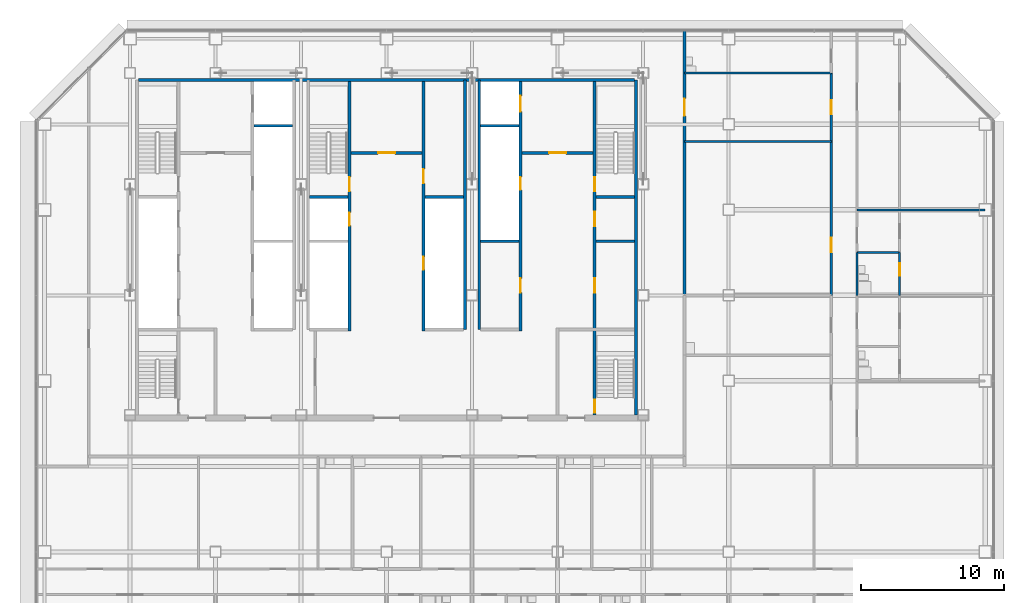
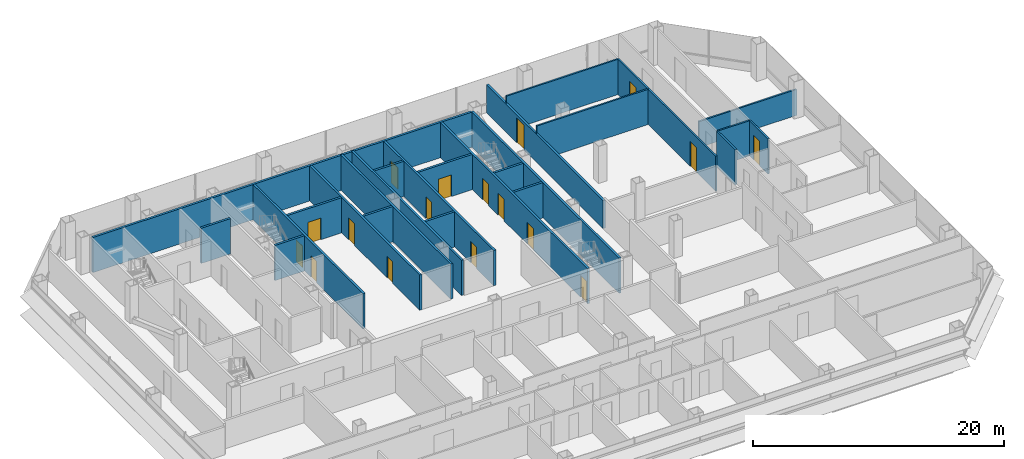
# One storey, part 23 of 26: 25 walls, 17 doors, 17 openings.
"""IFC4 building model written with IfcOpenShell, lengths in metres."""

from ifc_helpers import new_model, si_unit, direction, frame, frame_2d, origin, place, context, subcontext, project, spatial, rectangle, extrude, material, layer, layer_set, type_object, element, fill, save


model = new_model("IFC4")

# Units and contexts
model_context = context("Model", 3, precision=1e-05, world=origin(), true_north=direction((0.0, 1.0)))
body_context = subcontext(model_context, "Body", "Model", "MODEL_VIEW")
ifc_project = project(units=[si_unit("LENGTHUNIT", "METRE"), si_unit("AREAUNIT", "SQUARE_METRE"), si_unit("VOLUMEUNIT", "CUBIC_METRE"), si_unit("PLANEANGLEUNIT", "RADIAN"), si_unit("MASSUNIT", "GRAM", prefix="KILO")], contexts=[model_context])

# Site, building, storey
site_placement = place(None, origin())
site = spatial("IfcSite", under=ifc_project, at=site_placement, CompositionType="ELEMENT")
building_placement = place(site_placement, origin())
building = spatial("IfcBuilding", under=site, at=building_placement, Name="Sorahane Residences", CompositionType="ELEMENT")
storey_placement = place(building_placement, frame((0.0, 0.0, 67.800048828125)))
storey = spatial("IfcBuildingStorey", under=building, at=storey_placement, Name="L13", CompositionType="ELEMENT", Elevation=67.800048828125)

# Walls
ifc_material_1 = material(Name="Concrete C30", Category="concrete")
ifc_layer_1 = layer(ifc_material_1, 0.199951171875)
ifc_layer_set_1 = layer_set([ifc_layer_1], Name="Core face wall 200 EI 180")
wall_type_1 = type_object("IfcWallType", Name="Core face wall 200 EI 180", PredefinedType="SOLIDWALL", material=ifc_layer_set_1)
wall_1_placement = place(storey_placement, frame((41.5, 21.60009765625, 0.0), z_axis=(0.0, 0.0, 1.0), x_axis=(0.0, 1.0, 0.0)))
element("IfcWall", 1, at=wall_1_placement, inside=storey, type_object=wall_type_1, Name="L13 core face wall", PredefinedType="SOLIDWALL", context=body_context, shape_type="SweptSolid", body=[
    extrude(rectangle(XDim=23.5, YDim=0.199951171875, at=frame_2d((11.75, 0.0))), origin(), (0.0, 0.0, 1.0), 3.419921875),
])
wall_2_placement = place(storey_placement, frame((6.60009765625, 45.10009765625, 0.0), z_axis=(0.0, 0.0, 1.0), x_axis=(1.0, 0.0, 0.0)))
element("IfcWall", 2, at=wall_2_placement, inside=storey, type_object=wall_type_1, Name="L13 core face wall", PredefinedType="SOLIDWALL", context=body_context, shape_type="SweptSolid", body=[
    extrude(rectangle(XDim=34.7998046875, YDim=0.199951171875, at=frame_2d((17.39990234375, 0.0))), origin(), (0.0, 0.0, 1.0), 3.419921875),
])
for number, where, z_axis, x_axis, name in (
    (3, (29.5, 27.60009765625, 0.0), (0.0, 0.0, 1.0), (0.0, 1.0, 0.0), "L13 core face wall"),
    (4, (30.5, 27.60009765625, 0.0), (0.0, 0.0, 1.0), (0.0, 1.0, 0.0), "L13 core face wall"),
):
    element("IfcWall", number, at=place(storey_placement, frame(where, z_axis=z_axis, x_axis=x_axis)), inside=storey, type_object=wall_type_1, Name=name, PredefinedType="SOLIDWALL", context=body_context, shape_type="SweptSolid", body=[
        extrude(rectangle(XDim=17.5, YDim=0.199951171875, at=frame_2d((8.75, 0.0))), origin(), (0.0, 0.0, 1.0), 3.419921875),
    ])

# Wall, opening, door
ifc_material_2 = material(Name="Concrete blockwork C20 wall", Category="masonry")
ifc_layer_2 = layer(ifc_material_2, 0.199951171875)
ifc_layer_set_2 = layer_set([ifc_layer_2], Name="Corridor wall 200 EI 120")
wall_type_2 = type_object("IfcWallType", Name="Corridor wall 200 EI 120", PredefinedType="SOLIDWALL", material=ifc_layer_set_2)
wall_3_placement = place(storey_placement, frame((44.89990234375, 30.0, 0.0), z_axis=(0.0, 0.0, 1.0), x_axis=(0.0, 1.0, 0.0)))
wall_3 = element("IfcWall", 5, at=wall_3_placement, inside=storey, type_object=wall_type_2, Name="L13 corridor wall", PredefinedType="SOLIDWALL", context=body_context, shape_type="SweptSolid", body=[
    extrude(rectangle(XDim=18.60009765625, YDim=0.199951171875, at=frame_2d((9.300048828125, 0.0))), origin(), (0.0, 0.0, 1.0), 2.719970703125),
])
opening_1_placement = place(wall_3_placement, frame((12.60009765625, 0.0, 0.0)))
opening_1 = element("IfcOpeningElement", 6, at=opening_1_placement, cuts=wall_3, Name="Opening L13-44", PredefinedType="OPENING", context=body_context, shape_type="SweptSolid", body=[
    extrude(rectangle(XDim=1.199951171875, YDim=2.39990234375, at=frame_2d((0.60009765625, 1.199951171875))), frame((0.0, 0.10986328125, 0.0), z_axis=(0.0, -1.0, 0.0), x_axis=(1.0, 0.0, 0.0)), (0.0, 0.0, 1.0), 0.219970703125),
])
ifc_material_3 = material(Name="Timber veneered fire door", Category="wood")
door_type_1 = type_object("IfcDoorType", Name="Flat entrance door 1200x2400 FD60", OperationType="NOTDEFINED", PredefinedType="DOOR", material=ifc_material_3)
door_1_placement = place(opening_1_placement, frame((1.199951171875, 0.0, 0.0), z_axis=(0.0, 0.0, 1.0), x_axis=(-1.0, 0.0, 0.0)))
door_1 = element("IfcDoor", 7, at=door_1_placement, inside=storey, type_object=door_type_1, Name="Flat entrance door L13-44", OperationType="SINGLE_SWING_RIGHT", OverallHeight=2.39990234375, OverallWidth=1.199951171875, PredefinedType="DOOR", context=body_context, shape_type="SweptSolid", body=[
    extrude(rectangle(XDim=1.199951171875, YDim=2.39990234375, at=frame_2d((0.60009765625, 1.199951171875))), frame((0.0, 0.02490234375, 0.0), z_axis=(0.0, -1.0, 0.0), x_axis=(1.0, 0.0, 0.0)), (0.0, 0.0, 1.0), 0.050048828125),
])
fill(opening_1, door_1)

ifc_material_4 = material(Name="Concrete C30", Category="concrete")
ifc_layer_3 = layer(ifc_material_4, 0.199951171875)
ifc_layer_set_3 = layer_set([ifc_layer_3], Name="Front room wall 200 EI 120")
wall_type_3 = type_object("IfcWallType", Name="Front room wall 200 EI 120", PredefinedType="PARTITIONING", material=ifc_layer_set_3)
wall_4_placement = place(storey_placement, frame((21.5, 40.0, 0.0), z_axis=(0.0, 0.0, 1.0), x_axis=(1.0, 0.0, 0.0)))
wall_4 = element("IfcWall", 8, at=wall_4_placement, inside=storey, type_object=wall_type_3, Name="L13 front room wall", PredefinedType="PARTITIONING", context=body_context, shape_type="SweptSolid", body=[
    extrude(rectangle(XDim=5.0, YDim=0.199951171875, at=frame_2d((2.5, 0.0))), origin(), (0.0, 0.0, 1.0), 3.419921875),
])
opening_2_placement = place(wall_4_placement, frame((1.89990234375, 0.0, 0.0)))
opening_2 = element("IfcOpeningElement", 9, at=opening_2_placement, cuts=wall_4, Name="Opening L13-C08", PredefinedType="OPENING", context=body_context, shape_type="SweptSolid", body=[
    extrude(rectangle(XDim=1.199951171875, YDim=2.10009765625, at=frame_2d((0.60009765625, 1.050048828125))), frame((0.0, 0.10986328125, 0.0), z_axis=(0.0, -1.0, 0.0), x_axis=(1.0, 0.0, 0.0)), (0.0, 0.0, 1.0), 0.219970703125),
])
ifc_material_5 = material(Name="Steel", Category="steel")
door_type_2 = type_object("IfcDoorType", Name="Front room door 1200x2100 FD120", OperationType="NOTDEFINED", PredefinedType="DOOR", material=ifc_material_5)
door_2_placement = place(opening_2_placement, frame((1.199951171875, 0.0, 0.0), z_axis=(0.0, 0.0, 1.0), x_axis=(-1.0, 0.0, 0.0)))
door_2 = element("IfcDoor", 10, at=door_2_placement, inside=storey, type_object=door_type_2, Name="Front room door Stair S3 vestibule L13", OperationType="DOUBLE_DOOR_SINGLE_SWING", OverallHeight=2.10009765625, OverallWidth=1.199951171875, PredefinedType="DOOR", context=body_context, shape_type="SweptSolid", body=[
    extrude(rectangle(XDim=1.199951171875, YDim=2.10009765625, at=frame_2d((0.60009765625, 1.050048828125))), frame((0.0, 0.02490234375, 0.0), z_axis=(0.0, -1.0, 0.0), x_axis=(1.0, 0.0, 0.0)), (0.0, 0.0, 1.0), 0.050048828125),
])
fill(opening_2, door_2)

wall_5_placement = place(storey_placement, frame((33.5, 40.0, 0.0), z_axis=(0.0, 0.0, 1.0), x_axis=(1.0, 0.0, 0.0)))
wall_5 = element("IfcWall", 11, at=wall_5_placement, inside=storey, type_object=wall_type_3, Name="L13 front room wall", PredefinedType="PARTITIONING", context=body_context, shape_type="SweptSolid", body=[
    extrude(rectangle(XDim=5.0, YDim=0.199951171875, at=frame_2d((2.5, 0.0))), origin(), (0.0, 0.0, 1.0), 3.419921875),
])
opening_3_placement = place(wall_5_placement, frame((1.89990234375, 0.0, 0.0)))
opening_3 = element("IfcOpeningElement", 12, at=opening_3_placement, cuts=wall_5, Name="Opening L13-C09", PredefinedType="OPENING", context=body_context, shape_type="SweptSolid", body=[
    extrude(rectangle(XDim=1.199951171875, YDim=2.10009765625, at=frame_2d((0.60009765625, 1.050048828125))), frame((0.0, 0.10986328125, 0.0), z_axis=(0.0, -1.0, 0.0), x_axis=(1.0, 0.0, 0.0)), (0.0, 0.0, 1.0), 0.219970703125),
])
door_3_placement = place(opening_3_placement, frame((1.199951171875, 0.0, 0.0), z_axis=(0.0, 0.0, 1.0), x_axis=(-1.0, 0.0, 0.0)))
door_3 = element("IfcDoor", 13, at=door_3_placement, inside=storey, type_object=door_type_2, Name="Front room door Firefighting lobby FF2 front room L13", OperationType="DOUBLE_DOOR_SINGLE_SWING", OverallHeight=2.10009765625, OverallWidth=1.199951171875, PredefinedType="DOOR", context=body_context, shape_type="SweptSolid", body=[
    extrude(rectangle(XDim=1.199951171875, YDim=2.10009765625, at=frame_2d((0.60009765625, 1.050048828125))), frame((0.0, 0.02490234375, 0.0), z_axis=(0.0, -1.0, 0.0), x_axis=(1.0, 0.0, 0.0)), (0.0, 0.0, 1.0), 0.050048828125),
])
fill(opening_3, door_3)

# Wall, openings, doors
ifc_material_6 = material(Name="Concrete C30", Category="concrete")
ifc_layer_4 = layer(ifc_material_6, 0.199951171875)
ifc_layer_set_4 = layer_set([ifc_layer_4], Name="Lift shaft wall 200 EI 120")
wall_type_4 = type_object("IfcWallType", Name="Lift shaft wall 200 EI 120", PredefinedType="SOLIDWALL", material=ifc_layer_set_4)
wall_6_placement = place(storey_placement, frame((33.39990234375, 27.5, 0.0), z_axis=(0.0, 0.0, 1.0), x_axis=(0.0, 1.0, 0.0)))
wall_6 = element("IfcWall", 14, at=wall_6_placement, inside=storey, type_object=wall_type_4, Name="L13 lift shaft wall", PredefinedType="SOLIDWALL", context=body_context, shape_type="SweptSolid", body=[
    extrude(rectangle(XDim=17.5, YDim=0.199951171875, at=frame_2d((8.75, 0.0))), origin(), (0.0, 0.0, 1.0), 3.419921875),
])
opening_4_placement = place(wall_6_placement, frame((15.39990234375, 0.0, 0.0)))
opening_4 = element("IfcOpeningElement", 15, at=opening_4_placement, cuts=wall_6, Name="Opening L13-C10", PredefinedType="OPENING", context=body_context, shape_type="SweptSolid", body=[
    extrude(rectangle(XDim=1.10009765625, YDim=2.10009765625, at=frame_2d((0.550048828125, 1.050048828125))), frame((0.0, 0.10986328125, 0.0), z_axis=(0.0, -1.0, 0.0), x_axis=(1.0, 0.0, 0.0)), (0.0, 0.0, 1.0), 0.219970703125),
])
opening_5_placement = place(wall_6_placement, frame((2.699951171875, 0.0, 0.0)))
opening_5 = element("IfcOpeningElement", 16, at=opening_5_placement, cuts=wall_6, Name="Opening L13-C19", PredefinedType="OPENING", context=body_context, shape_type="SweptSolid", body=[
    extrude(rectangle(XDim=1.0, YDim=2.10009765625, at=frame_2d((0.5, 1.050048828125))), frame((0.0, 0.10986328125, 0.0), z_axis=(0.0, -1.0, 0.0), x_axis=(1.0, 0.0, 0.0)), (0.0, 0.0, 1.0), 0.219970703125),
])
opening_6_placement = place(wall_6_placement, frame((9.89990234375, 0.0, 0.0)))
opening_6 = element("IfcOpeningElement", 17, at=opening_6_placement, cuts=wall_6, Name="Opening L13-C26", PredefinedType="OPENING", context=body_context, shape_type="SweptSolid", body=[
    extrude(rectangle(XDim=0.89990234375, YDim=2.10009765625, at=frame_2d((0.449951171875, 1.050048828125))), frame((0.0, 0.10986328125, 0.0), z_axis=(0.0, -1.0, 0.0), x_axis=(1.0, 0.0, 0.0)), (0.0, 0.0, 1.0), 0.219970703125),
])
ifc_material_7 = material(Name="Aluminium and stainless steel", Category="steel")
door_type_3 = type_object("IfcDoorType", Name="Lift landing door 1100x2100 E 60", OperationType="NOTDEFINED", PredefinedType="DOOR", material=ifc_material_7)
door_4_placement = place(opening_4_placement, origin())
door_4 = element("IfcDoor", 18, at=door_4_placement, inside=storey, type_object=door_type_3, Name="Lift landing door FF2 L13", OperationType="DOUBLE_DOOR_SLIDING", OverallHeight=2.10009765625, OverallWidth=1.10009765625, PredefinedType="DOOR", context=body_context, shape_type="SweptSolid", body=[
    extrude(rectangle(XDim=1.10009765625, YDim=2.10009765625, at=frame_2d((0.550048828125, 1.050048828125))), frame((0.0, 0.02490234375, 0.0), z_axis=(0.0, -1.0, 0.0), x_axis=(1.0, 0.0, 0.0)), (0.0, 0.0, 1.0), 0.050048828125),
])
fill(opening_4, door_4)
ifc_material_8 = material(Name="Steel", Category="steel")
door_type_4 = type_object("IfcDoorType", Name="Riser door 900x2100 FD120", OperationType="NOTDEFINED", PredefinedType="DOOR", material=ifc_material_8)
door_5_placement = place(opening_6_placement, frame((0.89990234375, 0.0, 0.0), z_axis=(0.0, 0.0, 1.0), x_axis=(-1.0, 0.0, 0.0)))
door_5 = element("IfcDoor", 19, at=door_5_placement, inside=storey, type_object=door_type_4, Name="Riser door R2 L13", OperationType="SINGLE_SWING_LEFT", OverallHeight=2.10009765625, OverallWidth=0.89990234375, PredefinedType="DOOR", context=body_context, shape_type="SweptSolid", body=[
    extrude(rectangle(XDim=0.89990234375, YDim=2.10009765625, at=frame_2d((0.449951171875, 1.050048828125))), frame((0.0, 0.02490234375, 0.0), z_axis=(0.0, -1.0, 0.0), x_axis=(1.0, 0.0, 0.0)), (0.0, 0.0, 1.0), 0.050048828125),
])
fill(opening_6, door_5)
ifc_material_9 = material(Name="Steel", Category="steel")
door_type_5 = type_object("IfcDoorType", Name="Service room door 1000x2100 FD60", OperationType="NOTDEFINED", PredefinedType="DOOR", material=ifc_material_9)
door_6_placement = place(opening_5_placement, origin())
door_6 = element("IfcDoor", 20, at=door_6_placement, inside=storey, type_object=door_type_5, Name="Service room door Valet store L13", OperationType="SINGLE_SWING_RIGHT", OverallHeight=2.10009765625, OverallWidth=1.0, PredefinedType="DOOR", context=body_context, shape_type="SweptSolid", body=[
    extrude(rectangle(XDim=1.0, YDim=2.10009765625, at=frame_2d((0.5, 1.050048828125))), frame((0.0, 0.02490234375, 0.0), z_axis=(0.0, -1.0, 0.0), x_axis=(1.0, 0.0, 0.0)), (0.0, 0.0, 1.0), 0.050048828125),
])
fill(opening_5, door_6)

# Walls
for number, where, z_axis, x_axis, name in (
    (21, (14.699951171875, 41.89990234375, 0.0), (0.0, 0.0, 1.0), (1.0, 0.0, 0.0), "L13 lift shaft wall"),
    (22, (30.60009765625, 41.89990234375, 0.0), (0.0, 0.0, 1.0), (1.0, 0.0, 0.0), "L13 lift shaft wall"),
):
    element("IfcWall", number, at=place(storey_placement, frame(where, z_axis=z_axis, x_axis=x_axis)), inside=storey, type_object=wall_type_4, Name=name, PredefinedType="SOLIDWALL", context=body_context, shape_type="SweptSolid", body=[
        extrude(rectangle(XDim=2.699951171875, YDim=0.199951171875, at=frame_2d((1.35009765625, 0.0))), origin(), (0.0, 0.0, 1.0), 3.419921875),
    ])

# Wall, openings, doors
ifc_material_10 = material(Name="Gypsum board partition on steel studs", Category="steel")
ifc_layer_5 = layer(ifc_material_10, 0.14990234375)
ifc_layer_set_5 = layer_set([ifc_layer_5], Name="Partition 150 EI 90")
wall_type_5 = type_object("IfcWallType", Name="Partition 150 EI 90", PredefinedType="PARTITIONING", material=ifc_layer_set_5)
wall_7_placement = place(storey_placement, frame((55.199951171875, 30.0, 0.0), z_axis=(0.0, 0.0, 1.0), x_axis=(0.0, 1.0, 0.0)))
wall_7 = element("IfcWall", 23, at=wall_7_placement, inside=storey, type_object=wall_type_5, Name="L13 partition", PredefinedType="PARTITIONING", context=body_context, shape_type="SweptSolid", body=[
    extrude(rectangle(XDim=15.60009765625, YDim=0.14990234375, at=frame_2d((7.800048828125, 0.0))), origin(), (0.0, 0.0, 1.0), 3.419921875),
])
opening_7_placement = place(wall_7_placement, frame((12.699951171875, 0.0, 0.0)))
opening_7 = element("IfcOpeningElement", 24, at=opening_7_placement, cuts=wall_7, Name="Opening L13-28", PredefinedType="OPENING", context=body_context, shape_type="SweptSolid", body=[
    extrude(rectangle(XDim=1.0, YDim=2.39990234375, at=frame_2d((0.5, 1.199951171875))), frame((0.0, 0.0849609375, 0.0), z_axis=(0.0, -1.0, 0.0), x_axis=(1.0, 0.0, 0.0)), (0.0, 0.0, 1.0), 0.169921875),
])
opening_8_placement = place(wall_7_placement, frame((3.0400390625, 0.0, 0.0)))
opening_8 = element("IfcOpeningElement", 25, at=opening_8_placement, cuts=wall_7, Name="Opening L13-31", PredefinedType="OPENING", context=body_context, shape_type="SweptSolid", body=[
    extrude(rectangle(XDim=1.0, YDim=2.39990234375, at=frame_2d((0.5, 1.199951171875))), frame((0.0, 0.0849609375, 0.0), z_axis=(0.0, -1.0, 0.0), x_axis=(1.0, 0.0, 0.0)), (0.0, 0.0, 1.0), 0.169921875),
])
ifc_material_11 = material(Name="Timber veneered fire door", Category="wood")
door_type_6 = type_object("IfcDoorType", Name="Room door 1000x2400 FD30", OperationType="NOTDEFINED", PredefinedType="DOOR", material=ifc_material_11)
door_7_placement = place(opening_7_placement, frame((1.0, 0.0, 0.0), z_axis=(0.0, 0.0, 1.0), x_axis=(-1.0, 0.0, 0.0)))
door_7 = element("IfcDoor", 26, at=door_7_placement, inside=storey, type_object=door_type_6, Name="Room door L13-28", OperationType="SINGLE_SWING_RIGHT", OverallHeight=2.39990234375, OverallWidth=1.0, PredefinedType="DOOR", context=body_context, shape_type="SweptSolid", body=[
    extrude(rectangle(XDim=1.0, YDim=2.39990234375, at=frame_2d((0.5, 1.199951171875))), frame((0.0, 0.02490234375, 0.0), z_axis=(0.0, -1.0, 0.0), x_axis=(1.0, 0.0, 0.0)), (0.0, 0.0, 1.0), 0.050048828125),
])
fill(opening_7, door_7)
door_8_placement = place(opening_8_placement, origin())
door_8 = element("IfcDoor", 27, at=door_8_placement, inside=storey, type_object=door_type_6, Name="Room door L13-31", OperationType="SINGLE_SWING_LEFT", OverallHeight=2.39990234375, OverallWidth=1.0, PredefinedType="DOOR", context=body_context, shape_type="SweptSolid", body=[
    extrude(rectangle(XDim=1.0, YDim=2.39990234375, at=frame_2d((0.5, 1.199951171875))), frame((0.0, 0.02490234375, 0.0), z_axis=(0.0, -1.0, 0.0), x_axis=(1.0, 0.0, 0.0)), (0.0, 0.0, 1.0), 0.050048828125),
])
fill(opening_8, door_8)

# Walls
wall_8_placement = place(storey_placement, frame((57.0, 36.0, 0.0), z_axis=(0.0, 0.0, 1.0), x_axis=(1.0, 0.0, 0.0)))
element("IfcWall", 28, at=wall_8_placement, inside=storey, type_object=wall_type_5, Name="L13 partition", PredefinedType="PARTITIONING", context=body_context, shape_type="SweptSolid", body=[
    extrude(rectangle(XDim=9.0, YDim=0.14990234375, at=frame_2d((4.5, 0.0))), origin(), (0.0, 0.0, 1.0), 2.52001953125),
])
wall_9_placement = place(storey_placement, frame((44.89990234375, 40.800048828125, 0.0), z_axis=(0.0, 0.0, 1.0), x_axis=(1.0, 0.0, 0.0)))
element("IfcWall", 29, at=wall_9_placement, inside=storey, type_object=wall_type_5, Name="L13 partition", PredefinedType="PARTITIONING", context=body_context, shape_type="SweptSolid", body=[
    extrude(rectangle(XDim=10.300048828125, YDim=0.14990234375, at=frame_2d((5.14990234375, 0.0))), origin(), (0.0, 0.0, 1.0), 3.419921875),
])

# Wall, openings, doors
ifc_material_12 = material(Name="Concrete C30", Category="concrete")
ifc_layer_6 = layer(ifc_material_12, 0.199951171875)
ifc_layer_set_6 = layer_set([ifc_layer_6], Name="Riser shaft wall 200 EI 120")
wall_type_6 = type_object("IfcWallType", Name="Riser shaft wall 200 EI 120", PredefinedType="SOLIDWALL", material=ifc_layer_set_6)
wall_10_placement = place(storey_placement, frame((26.60009765625, 27.5, 0.0), z_axis=(0.0, 0.0, 1.0), x_axis=(0.0, 1.0, 0.0)))
wall_10 = element("IfcWall", 30, at=wall_10_placement, inside=storey, type_object=wall_type_6, Name="L13 riser wall", PredefinedType="SOLIDWALL", context=body_context, shape_type="SweptSolid", body=[
    extrude(rectangle(XDim=17.5, YDim=0.199951171875, at=frame_2d((8.75, 0.0))), origin(), (0.0, 0.0, 1.0), 3.419921875),
])
opening_9_placement = place(wall_10_placement, frame((4.300048828125, 0.0, 0.0)))
opening_9 = element("IfcOpeningElement", 31, at=opening_9_placement, cuts=wall_10, Name="Opening L13-C28", PredefinedType="OPENING", context=body_context, shape_type="SweptSolid", body=[
    extrude(rectangle(XDim=0.89990234375, YDim=2.10009765625, at=frame_2d((0.449951171875, 1.050048828125))), frame((0.0, 0.10986328125, 0.0), z_axis=(0.0, -1.0, 0.0), x_axis=(1.0, 0.0, 0.0)), (0.0, 0.0, 1.0), 0.219970703125),
])
opening_10_placement = place(wall_10_placement, frame((10.35009765625, 0.0, 0.0)))
opening_10 = element("IfcOpeningElement", 32, at=opening_10_placement, cuts=wall_10, Name="Opening L13-C29", PredefinedType="OPENING", context=body_context, shape_type="SweptSolid", body=[
    extrude(rectangle(XDim=1.0, YDim=2.10009765625, at=frame_2d((0.5, 1.050048828125))), frame((0.0, 0.10986328125, 0.0), z_axis=(0.0, -1.0, 0.0), x_axis=(1.0, 0.0, 0.0)), (0.0, 0.0, 1.0), 0.219970703125),
])
door_9_placement = place(opening_9_placement, origin())
door_9 = element("IfcDoor", 33, at=door_9_placement, inside=storey, type_object=door_type_4, Name="Riser door R4 L13", OperationType="SINGLE_SWING_LEFT", OverallHeight=2.10009765625, OverallWidth=0.89990234375, PredefinedType="DOOR", context=body_context, shape_type="SweptSolid", body=[
    extrude(rectangle(XDim=0.89990234375, YDim=2.10009765625, at=frame_2d((0.449951171875, 1.050048828125))), frame((0.0, 0.02490234375, 0.0), z_axis=(0.0, -1.0, 0.0), x_axis=(1.0, 0.0, 0.0)), (0.0, 0.0, 1.0), 0.050048828125),
])
fill(opening_9, door_9)
door_10_placement = place(opening_10_placement, frame((1.0, 0.0, 0.0), z_axis=(0.0, 0.0, 1.0), x_axis=(-1.0, 0.0, 0.0)))
door_10 = element("IfcDoor", 34, at=door_10_placement, inside=storey, type_object=door_type_5, Name="Service room door Housekeeping store L13", OperationType="SINGLE_SWING_LEFT", OverallHeight=2.10009765625, OverallWidth=1.0, PredefinedType="DOOR", context=body_context, shape_type="SweptSolid", body=[
    extrude(rectangle(XDim=1.0, YDim=2.10009765625, at=frame_2d((0.5, 1.050048828125))), frame((0.0, 0.02490234375, 0.0), z_axis=(0.0, -1.0, 0.0), x_axis=(1.0, 0.0, 0.0)), (0.0, 0.0, 1.0), 0.050048828125),
])
fill(opening_10, door_10)

# Walls
for number, where, z_axis, x_axis, name in (
    (35, (30.60009765625, 33.800048828125, 0.0), (0.0, 0.0, 1.0), (1.0, 0.0, 0.0), "L13 riser wall"),
    (36, (26.699951171875, 36.89990234375, 0.0), (0.0, 0.0, 1.0), (1.0, 0.0, 0.0), "L13 riser wall"),
):
    element("IfcWall", number, at=place(storey_placement, frame(where, z_axis=z_axis, x_axis=x_axis)), inside=storey, type_object=wall_type_6, Name=name, PredefinedType="SOLIDWALL", context=body_context, shape_type="SweptSolid", body=[
        extrude(rectangle(XDim=2.699951171875, YDim=0.199951171875, at=frame_2d((1.35009765625, 0.0))), origin(), (0.0, 0.0, 1.0), 3.419921875),
    ])
ifc_material_13 = material(Name="Concrete C30", Category="concrete")
ifc_layer_7 = layer(ifc_material_13, 0.199951171875)
ifc_layer_set_7 = layer_set([ifc_layer_7], Name="Service room partition 200 EI 60")
wall_type_7 = type_object("IfcWallType", Name="Service room partition 200 EI 60", PredefinedType="PARTITIONING", material=ifc_layer_set_7)
wall_11_placement = place(storey_placement, frame((38.699951171875, 33.800048828125, 0.0), z_axis=(0.0, 0.0, 1.0), x_axis=(1.0, 0.0, 0.0)))
element("IfcWall", 37, at=wall_11_placement, inside=storey, type_object=wall_type_7, Name="L13 service room wall", PredefinedType="PARTITIONING", context=body_context, shape_type="SweptSolid", body=[
    extrude(rectangle(XDim=2.699951171875, YDim=0.199951171875, at=frame_2d((1.35009765625, 0.0))), origin(), (0.0, 0.0, 1.0), 3.419921875),
])

# Wall, openings, doors
ifc_material_14 = material(Name="Concrete C30", Category="concrete")
ifc_layer_8 = layer(ifc_material_14, 0.199951171875)
ifc_layer_set_8 = layer_set([ifc_layer_8], Name="Stair enclosure wall 200 EI 120")
wall_type_8 = type_object("IfcWallType", Name="Stair enclosure wall 200 EI 120", PredefinedType="SOLIDWALL", material=ifc_layer_set_8)
wall_12_placement = place(storey_placement, frame((21.39990234375, 27.5, 0.0), z_axis=(0.0, 0.0, 1.0), x_axis=(0.0, 1.0, 0.0)))
wall_12 = element("IfcWall", 38, at=wall_12_placement, inside=storey, type_object=wall_type_8, Name="L13 stair enclosure wall", PredefinedType="SOLIDWALL", context=body_context, shape_type="SweptSolid", body=[
    extrude(rectangle(XDim=17.5, YDim=0.199951171875, at=frame_2d((8.75, 0.0))), origin(), (0.0, 0.0, 1.0), 3.419921875),
])
opening_11_placement = place(wall_12_placement, frame((9.800048828125, 0.0, 0.0)))
opening_11 = element("IfcOpeningElement", 39, at=opening_11_placement, cuts=wall_12, Name="Opening L13-C22", PredefinedType="OPENING", context=body_context, shape_type="SweptSolid", body=[
    extrude(rectangle(XDim=1.0, YDim=2.10009765625, at=frame_2d((0.5, 1.050048828125))), frame((0.0, 0.10986328125, 0.0), z_axis=(0.0, -1.0, 0.0), x_axis=(1.0, 0.0, 0.0)), (0.0, 0.0, 1.0), 0.219970703125),
])
opening_12_placement = place(wall_12_placement, frame((7.39990234375, 0.0, 0.0)))
opening_12 = element("IfcOpeningElement", 40, at=opening_12_placement, cuts=wall_12, Name="Opening L13-C27", PredefinedType="OPENING", context=body_context, shape_type="SweptSolid", body=[
    extrude(rectangle(XDim=0.89990234375, YDim=2.10009765625, at=frame_2d((0.449951171875, 1.050048828125))), frame((0.0, 0.10986328125, 0.0), z_axis=(0.0, -1.0, 0.0), x_axis=(1.0, 0.0, 0.0)), (0.0, 0.0, 1.0), 0.219970703125),
])
door_11_placement = place(opening_12_placement, frame((0.89990234375, 0.0, 0.0), z_axis=(0.0, 0.0, 1.0), x_axis=(-1.0, 0.0, 0.0)))
door_11 = element("IfcDoor", 41, at=door_11_placement, inside=storey, type_object=door_type_4, Name="Riser door R3 L13", OperationType="SINGLE_SWING_LEFT", OverallHeight=2.10009765625, OverallWidth=0.89990234375, PredefinedType="DOOR", context=body_context, shape_type="SweptSolid", body=[
    extrude(rectangle(XDim=0.89990234375, YDim=2.10009765625, at=frame_2d((0.449951171875, 1.050048828125))), frame((0.0, 0.02490234375, 0.0), z_axis=(0.0, -1.0, 0.0), x_axis=(1.0, 0.0, 0.0)), (0.0, 0.0, 1.0), 0.050048828125),
])
fill(opening_12, door_11)
ifc_material_15 = material(Name="Steel", Category="steel")
door_type_7 = type_object("IfcDoorType", Name="Stair door 1000x2100 FD120", OperationType="NOTDEFINED", PredefinedType="DOOR", material=ifc_material_15)
door_12_placement = place(opening_11_placement, origin())
door_12 = element("IfcDoor", 42, at=door_12_placement, inside=storey, type_object=door_type_7, Name="Stair door S3 L13", OperationType="SINGLE_SWING_LEFT", OverallHeight=2.10009765625, OverallWidth=1.0, PredefinedType="DOOR", context=body_context, shape_type="SweptSolid", body=[
    extrude(rectangle(XDim=1.0, YDim=2.10009765625, at=frame_2d((0.5, 1.050048828125))), frame((0.0, 0.02490234375, 0.0), z_axis=(0.0, -1.0, 0.0), x_axis=(1.0, 0.0, 0.0)), (0.0, 0.0, 1.0), 0.050048828125),
])
fill(opening_11, door_12)

wall_13_placement = place(storey_placement, frame((38.60009765625, 21.60009765625, 0.0), z_axis=(0.0, 0.0, 1.0), x_axis=(0.0, 1.0, 0.0)))
wall_13 = element("IfcWall", 43, at=wall_13_placement, inside=storey, type_object=wall_type_8, Name="L13 stair enclosure wall", PredefinedType="SOLIDWALL", context=body_context, shape_type="SweptSolid", body=[
    extrude(rectangle(XDim=23.39990234375, YDim=0.199951171875, at=frame_2d((11.699951171875, 0.0))), origin(), (0.0, 0.0, 1.0), 3.419921875),
])
opening_13_placement = place(wall_13_placement, frame((8.60009765625, 0.0, 0.0)))
opening_13 = element("IfcOpeningElement", 44, at=opening_13_placement, cuts=wall_13, Name="Opening L13-C17", PredefinedType="OPENING", context=body_context, shape_type="SweptSolid", body=[
    extrude(rectangle(XDim=1.0, YDim=2.10009765625, at=frame_2d((0.5, 1.050048828125))), frame((0.0, 0.10986328125, 0.0), z_axis=(0.0, -1.0, 0.0), x_axis=(1.0, 0.0, 0.0)), (0.0, 0.0, 1.0), 0.219970703125),
])
opening_14_placement = place(wall_13_placement, frame((13.25, 0.0, 0.0)))
opening_14 = element("IfcOpeningElement", 45, at=opening_14_placement, cuts=wall_13, Name="Opening L13-C18", PredefinedType="OPENING", context=body_context, shape_type="SweptSolid", body=[
    extrude(rectangle(XDim=1.0, YDim=2.10009765625, at=frame_2d((0.5, 1.050048828125))), frame((0.0, 0.10986328125, 0.0), z_axis=(0.0, -1.0, 0.0), x_axis=(1.0, 0.0, 0.0)), (0.0, 0.0, 1.0), 0.219970703125),
])
opening_15_placement = place(wall_13_placement, frame((15.699951171875, 0.0, 0.0)))
opening_15 = element("IfcOpeningElement", 46, at=opening_15_placement, cuts=wall_13, Name="Opening L13-C21", PredefinedType="OPENING", context=body_context, shape_type="SweptSolid", body=[
    extrude(rectangle(XDim=1.0, YDim=2.10009765625, at=frame_2d((0.5, 1.050048828125))), frame((0.0, 0.10986328125, 0.0), z_axis=(0.0, -1.0, 0.0), x_axis=(1.0, 0.0, 0.0)), (0.0, 0.0, 1.0), 0.219970703125),
])
opening_16_placement = place(wall_13_placement, frame((0.175048828125, 0.0, 0.0)))
opening_16 = element("IfcOpeningElement", 47, at=opening_16_placement, cuts=wall_13, Name="Opening L13-C24", PredefinedType="OPENING", context=body_context, shape_type="SweptSolid", body=[
    extrude(rectangle(XDim=0.89990234375, YDim=2.10009765625, at=frame_2d((0.449951171875, 1.050048828125))), frame((0.0, 0.10986328125, 0.0), z_axis=(0.0, -1.0, 0.0), x_axis=(1.0, 0.0, 0.0)), (0.0, 0.0, 1.0), 0.219970703125),
])
door_13_placement = place(opening_13_placement, frame((1.0, 0.0, 0.0), z_axis=(0.0, 0.0, 1.0), x_axis=(-1.0, 0.0, 0.0)))
door_13 = element("IfcDoor", 48, at=door_13_placement, inside=storey, type_object=door_type_5, Name="Service room door Valet store L13", OperationType="SINGLE_SWING_RIGHT", OverallHeight=2.10009765625, OverallWidth=1.0, PredefinedType="DOOR", context=body_context, shape_type="SweptSolid", body=[
    extrude(rectangle(XDim=1.0, YDim=2.10009765625, at=frame_2d((0.5, 1.050048828125))), frame((0.0, 0.02490234375, 0.0), z_axis=(0.0, -1.0, 0.0), x_axis=(1.0, 0.0, 0.0)), (0.0, 0.0, 1.0), 0.050048828125),
])
fill(opening_13, door_13)
door_14_placement = place(opening_14_placement, frame((1.0, 0.0, 0.0), z_axis=(0.0, 0.0, 1.0), x_axis=(-1.0, 0.0, 0.0)))
door_14 = element("IfcDoor", 49, at=door_14_placement, inside=storey, type_object=door_type_5, Name="Service room door Wine room L13", OperationType="SINGLE_SWING_LEFT", OverallHeight=2.10009765625, OverallWidth=1.0, PredefinedType="DOOR", context=body_context, shape_type="SweptSolid", body=[
    extrude(rectangle(XDim=1.0, YDim=2.10009765625, at=frame_2d((0.5, 1.050048828125))), frame((0.0, 0.02490234375, 0.0), z_axis=(0.0, -1.0, 0.0), x_axis=(1.0, 0.0, 0.0)), (0.0, 0.0, 1.0), 0.050048828125),
])
fill(opening_14, door_14)
door_15_placement = place(opening_15_placement, frame((1.0, 0.0, 0.0), z_axis=(0.0, 0.0, 1.0), x_axis=(-1.0, 0.0, 0.0)))
door_15 = element("IfcDoor", 50, at=door_15_placement, inside=storey, type_object=door_type_7, Name="Stair door S2 L13", OperationType="SINGLE_SWING_LEFT", OverallHeight=2.10009765625, OverallWidth=1.0, PredefinedType="DOOR", context=body_context, shape_type="SweptSolid", body=[
    extrude(rectangle(XDim=1.0, YDim=2.10009765625, at=frame_2d((0.5, 1.050048828125))), frame((0.0, 0.02490234375, 0.0), z_axis=(0.0, -1.0, 0.0), x_axis=(1.0, 0.0, 0.0)), (0.0, 0.0, 1.0), 0.050048828125),
])
fill(opening_15, door_15)
ifc_material_16 = material(Name="Steel", Category="steel")
door_type_8 = type_object("IfcDoorType", Name="Stair door 900x2100 FD120", OperationType="NOTDEFINED", PredefinedType="DOOR", material=ifc_material_16)
door_16_placement = place(opening_16_placement, frame((0.89990234375, 0.0, 0.0), z_axis=(0.0, 0.0, 1.0), x_axis=(-1.0, 0.0, 0.0)))
door_16 = element("IfcDoor", 51, at=door_16_placement, inside=storey, type_object=door_type_8, Name="Stair door S5 L13", OperationType="SINGLE_SWING_LEFT", OverallHeight=2.10009765625, OverallWidth=0.89990234375, PredefinedType="DOOR", context=body_context, shape_type="SweptSolid", body=[
    extrude(rectangle(XDim=0.89990234375, YDim=2.10009765625, at=frame_2d((0.449951171875, 1.050048828125))), frame((0.0, 0.02490234375, 0.0), z_axis=(0.0, -1.0, 0.0), x_axis=(1.0, 0.0, 0.0)), (0.0, 0.0, 1.0), 0.050048828125),
])
fill(opening_16, door_16)

# Walls
for number, where, z_axis, x_axis, name in (
    (52, (18.60009765625, 36.89990234375, 0.0), (0.0, 0.0, 1.0), (1.0, 0.0, 0.0), "L13 stair enclosure wall"),
    (53, (38.699951171875, 36.89990234375, 0.0), (0.0, 0.0, 1.0), (1.0, 0.0, 0.0), "L13 stair enclosure wall"),
):
    element("IfcWall", number, at=place(storey_placement, frame(where, z_axis=z_axis, x_axis=x_axis)), inside=storey, type_object=wall_type_8, Name=name, PredefinedType="SOLIDWALL", context=body_context, shape_type="SweptSolid", body=[
        extrude(rectangle(XDim=2.699951171875, YDim=0.199951171875, at=frame_2d((1.35009765625, 0.0))), origin(), (0.0, 0.0, 1.0), 3.419921875),
    ])
ifc_material_17 = material(Name="Gypsum board partition on steel studs", Category="steel")
ifc_layer_9 = layer(ifc_material_17, 0.14990234375)
ifc_layer_set_9 = layer_set([ifc_layer_9], Name="Wet wall 150 EI 90")
wall_type_9 = type_object("IfcWallType", Name="Wet wall 150 EI 90", PredefinedType="PARTITIONING", material=ifc_layer_set_9)
wall_14_placement = place(storey_placement, frame((57.0, 30.0, 0.0), z_axis=(0.0, 0.0, 1.0), x_axis=(0.0, 1.0, 0.0)))
element("IfcWall", 54, at=wall_14_placement, inside=storey, type_object=wall_type_9, Name="L13 wet wall", PredefinedType="PARTITIONING", context=body_context, shape_type="SweptSolid", body=[
    extrude(rectangle(XDim=3.0, YDim=0.14990234375, at=frame_2d((1.5, 0.0))), origin(), (0.0, 0.0, 1.0), 3.419921875),
])

# Wall, opening, door
wall_15_placement = place(storey_placement, frame((60.0, 30.0, 0.0), z_axis=(0.0, 0.0, 1.0), x_axis=(0.0, 1.0, 0.0)))
wall_15 = element("IfcWall", 55, at=wall_15_placement, inside=storey, type_object=wall_type_9, Name="L13 wet wall", PredefinedType="PARTITIONING", context=body_context, shape_type="SweptSolid", body=[
    extrude(rectangle(XDim=3.0, YDim=0.14990234375, at=frame_2d((1.5, 0.0))), origin(), (0.0, 0.0, 1.0), 3.419921875),
])
opening_17_placement = place(wall_15_placement, frame((1.3701171875, 0.0, 0.0)))
opening_17 = element("IfcOpeningElement", 56, at=opening_17_placement, cuts=wall_15, Name="Opening L13-40", PredefinedType="OPENING", context=body_context, shape_type="SweptSolid", body=[
    extrude(rectangle(XDim=0.89990234375, YDim=2.39990234375, at=frame_2d((0.449951171875, 1.199951171875))), frame((0.0, 0.0849609375, 0.0), z_axis=(0.0, -1.0, 0.0), x_axis=(1.0, 0.0, 0.0)), (0.0, 0.0, 1.0), 0.169921875),
])
ifc_material_18 = material(Name="Timber veneered fire door", Category="wood")
door_type_9 = type_object("IfcDoorType", Name="Bathroom door 900x2400 FD30", OperationType="NOTDEFINED", PredefinedType="DOOR", material=ifc_material_18)
door_17_placement = place(opening_17_placement, frame((0.89990234375, 0.0, 0.0), z_axis=(0.0, 0.0, 1.0), x_axis=(-1.0, 0.0, 0.0)))
door_17 = element("IfcDoor", 57, at=door_17_placement, inside=storey, type_object=door_type_9, Name="Bathroom door L13-40", OperationType="SINGLE_SWING_LEFT", OverallHeight=2.39990234375, OverallWidth=0.89990234375, PredefinedType="DOOR", context=body_context, shape_type="SweptSolid", body=[
    extrude(rectangle(XDim=0.89990234375, YDim=2.39990234375, at=frame_2d((0.449951171875, 1.199951171875))), frame((0.0, 0.02490234375, 0.0), z_axis=(0.0, -1.0, 0.0), x_axis=(1.0, 0.0, 0.0)), (0.0, 0.0, 1.0), 0.050048828125),
])
fill(opening_17, door_17)

# Walls
wall_16_placement = place(storey_placement, frame((57.0, 33.0, 0.0), z_axis=(0.0, 0.0, 1.0), x_axis=(1.0, 0.0, 0.0)))
element("IfcWall", 58, at=wall_16_placement, inside=storey, type_object=wall_type_9, Name="L13 wet wall", PredefinedType="PARTITIONING", context=body_context, shape_type="SweptSolid", body=[
    extrude(rectangle(XDim=3.0, YDim=0.14990234375, at=frame_2d((1.5, 0.0))), origin(), (0.0, 0.0, 1.0), 3.419921875),
])
wall_17_placement = place(storey_placement, frame((44.89990234375, 45.60009765625, 0.0), z_axis=(0.0, 0.0, 1.0), x_axis=(1.0, 0.0, 0.0)))
element("IfcWall", 59, at=wall_17_placement, inside=storey, type_object=wall_type_9, Name="L13 wet wall", PredefinedType="PARTITIONING", context=body_context, shape_type="SweptSolid", body=[
    extrude(rectangle(XDim=10.300048828125, YDim=0.14990234375, at=frame_2d((5.14990234375, 0.0))), origin(), (0.0, 0.0, 1.0), 3.419921875),
])

save(model, "model.ifc")
